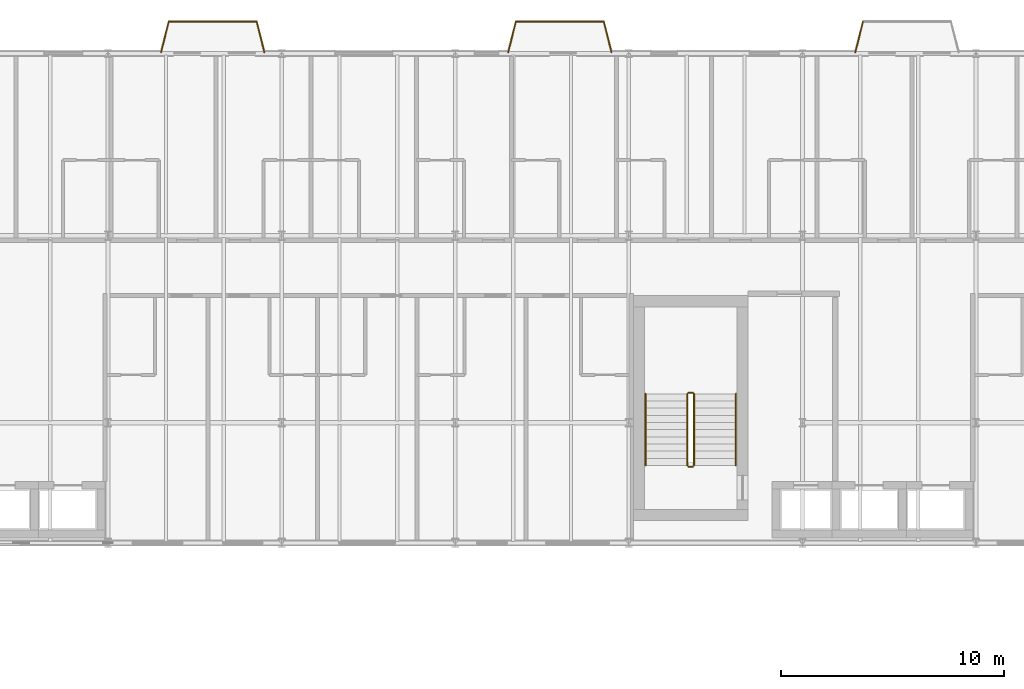
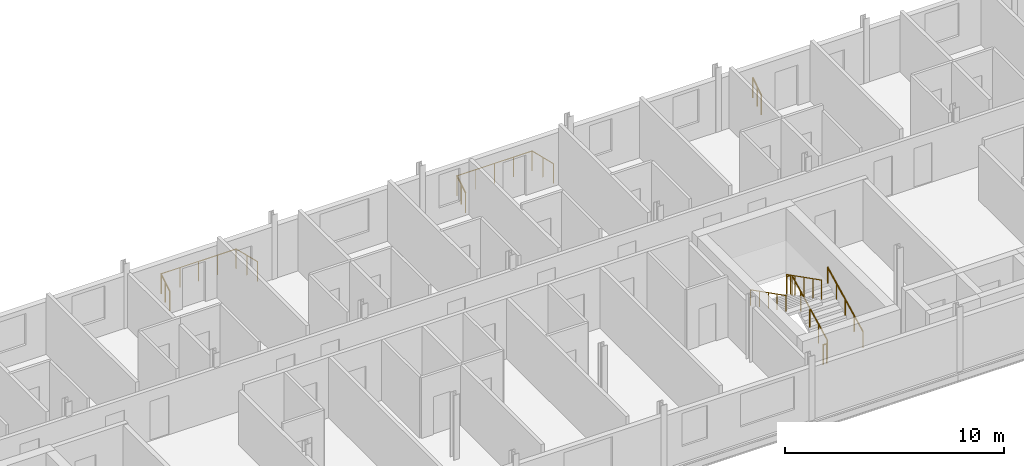
# One storey, part 24 of 25: 13 railings.
"""IFC4 building model written with IfcOpenShell, lengths in metres."""

from ifc_helpers import new_model, si_unit, direction, frame, origin, origin_2d, place, context, subcontext, project, spatial, circle, extrude, material, type_object, element, save


model = new_model("IFC4")

# Units and contexts
model_context = context("Model", 3, precision=1e-05, world=origin(), true_north=direction((0.0, 1.0)))
body_context = subcontext(model_context, "Body", "Model", "MODEL_VIEW")
ifc_project = project(units=[si_unit("LENGTHUNIT", "METRE"), si_unit("AREAUNIT", "SQUARE_METRE"), si_unit("VOLUMEUNIT", "CUBIC_METRE"), si_unit("PLANEANGLEUNIT", "RADIAN"), si_unit("MASSUNIT", "GRAM", prefix="KILO")], contexts=[model_context])

# Site, building, storey
site_placement = place(None, origin())
site = spatial("IfcSite", under=ifc_project, at=site_placement, CompositionType="ELEMENT")
building_placement = place(site_placement, origin())
building = spatial("IfcBuilding", under=site, at=building_placement, Name="Sefraquen Railside Congress Hotel", CompositionType="ELEMENT")
storey_placement = place(building_placement, frame((0.0, 0.0, 39.0)))
storey = spatial("IfcBuildingStorey", under=building, at=storey_placement, Name="L09", CompositionType="ELEMENT", Elevation=39.0)

# Railings
ifc_material = material(Name="Patinated wrought architectural bronze", Category="metal")
railing_type_1 = type_object("IfcRailingType", Name="TRL-BAL-110", PredefinedType="BALUSTRADE", material=ifc_material)
railing_1_placement = place(storey_placement, frame((43.179931640625, 118.050048828125, 0.0)))
element("IfcRailing", 1, at=railing_1_placement, inside=storey, type_object=railing_type_1, Name="Guest balcony Art Nouveau balustrade L09-02", PredefinedType="BALUSTRADE", context=body_context, shape_type="SweptSolid", body=[
    extrude(circle(Radius=0.02392578125, at=origin_2d()), frame((0.0, 0.0, 1.09619140625), z_axis=(0.240948040829, 0.970538016577, 0.0), x_axis=(-0.970538016577, 0.240948040829, 0.0)), (0.0, 0.0, 1.0), 1.411376953125),
    extrude(circle(Radius=0.02099609375, at=origin_2d()), origin(), (0.0, 0.0, 1.0), 1.072021484375),
    extrude(circle(Radius=0.02099609375, at=origin_2d()), frame((0.169921875, 0.68505859375, 0.0)), (0.0, 0.0, 1.0), 1.072021484375),
    extrude(circle(Radius=0.02099609375, at=origin_2d()), frame((0.340087890625, 1.369873046875, 0.0)), (0.0, 0.0, 1.0), 1.072021484375),
])
railing_2_placement = place(storey_placement, frame((43.52001953125, 119.419921875, 0.0)))
element("IfcRailing", 2, at=railing_2_placement, inside=storey, type_object=railing_type_1, Name="Guest balcony Art Nouveau balustrade L09-02", PredefinedType="BALUSTRADE", context=body_context, shape_type="SweptSolid", body=[
    extrude(circle(Radius=0.02392578125, at=origin_2d()), frame((0.0, 0.0, 1.09619140625), z_axis=(1.0, 0.0, 0.0), x_axis=(0.0, 1.0, 0.0)), (0.0, 0.0, 1.0), 3.9599609375),
    extrude(circle(Radius=0.02099609375, at=origin_2d()), origin(), (0.0, 0.0, 1.0), 1.072021484375),
    extrude(circle(Radius=0.02099609375, at=origin_2d()), frame((0.989990234375, 0.0, 0.0)), (0.0, 0.0, 1.0), 1.072021484375),
    extrude(circle(Radius=0.02099609375, at=origin_2d()), frame((1.97998046875, 0.0, 0.0)), (0.0, 0.0, 1.0), 1.072021484375),
    extrude(circle(Radius=0.02099609375, at=origin_2d()), frame((2.969970703125, 0.0, 0.0)), (0.0, 0.0, 1.0), 1.072021484375),
    extrude(circle(Radius=0.02099609375, at=origin_2d()), frame((3.9599609375, 0.0, 0.0)), (0.0, 0.0, 1.0), 1.072021484375),
])
railing_3_placement = place(storey_placement, frame((47.47998046875, 119.419921875, 0.0)))
element("IfcRailing", 3, at=railing_3_placement, inside=storey, type_object=railing_type_1, Name="Guest balcony Art Nouveau balustrade L09-02", PredefinedType="BALUSTRADE", context=body_context, shape_type="SweptSolid", body=[
    extrude(circle(Radius=0.02392578125, at=origin_2d()), frame((0.0, 0.0, 1.09619140625), z_axis=(0.240948040829, -0.970538016577, 0.0), x_axis=(0.970538016577, 0.240948040829, 0.0)), (0.0, 0.0, 1.0), 1.411376953125),
    extrude(circle(Radius=0.02099609375, at=origin_2d()), origin(), (0.0, 0.0, 1.0), 1.072021484375),
    extrude(circle(Radius=0.02099609375, at=origin_2d()), frame((0.169921875, -0.68505859375, 0.0)), (0.0, 0.0, 1.0), 1.072021484375),
    extrude(circle(Radius=0.02099609375, at=origin_2d()), frame((0.340087890625, -1.369873046875, 0.0)), (0.0, 0.0, 1.0), 1.072021484375),
])
railing_4_placement = place(storey_placement, frame((58.780029296875, 118.050048828125, 0.0)))
element("IfcRailing", 4, at=railing_4_placement, inside=storey, type_object=railing_type_1, Name="Guest balcony Art Nouveau balustrade L09-03", PredefinedType="BALUSTRADE", context=body_context, shape_type="SweptSolid", body=[
    extrude(circle(Radius=0.02392578125, at=origin_2d()), frame((0.0, 0.0, 1.09619140625), z_axis=(0.240948040829, 0.970538016577, 0.0), x_axis=(-0.970538016577, 0.240948040829, 0.0)), (0.0, 0.0, 1.0), 1.411376953125),
    extrude(circle(Radius=0.02099609375, at=origin_2d()), origin(), (0.0, 0.0, 1.0), 1.072021484375),
    extrude(circle(Radius=0.02099609375, at=origin_2d()), frame((0.169921875, 0.68505859375, 0.0)), (0.0, 0.0, 1.0), 1.072021484375),
    extrude(circle(Radius=0.02099609375, at=origin_2d()), frame((0.340087890625, 1.369873046875, 0.0)), (0.0, 0.0, 1.0), 1.072021484375),
])
railing_5_placement = place(storey_placement, frame((59.1201171875, 119.419921875, 0.0)))
element("IfcRailing", 5, at=railing_5_placement, inside=storey, type_object=railing_type_1, Name="Guest balcony Art Nouveau balustrade L09-03", PredefinedType="BALUSTRADE", context=body_context, shape_type="SweptSolid", body=[
    extrude(circle(Radius=0.02392578125, at=origin_2d()), frame((0.0, 0.0, 1.09619140625), z_axis=(1.0, 0.0, 0.0), x_axis=(0.0, 1.0, 0.0)), (0.0, 0.0, 1.0), 3.9599609375),
    extrude(circle(Radius=0.02099609375, at=origin_2d()), origin(), (0.0, 0.0, 1.0), 1.072021484375),
    extrude(circle(Radius=0.02099609375, at=origin_2d()), frame((0.989990234375, 0.0, 0.0)), (0.0, 0.0, 1.0), 1.072021484375),
    extrude(circle(Radius=0.02099609375, at=origin_2d()), frame((1.97998046875, 0.0, 0.0)), (0.0, 0.0, 1.0), 1.072021484375),
    extrude(circle(Radius=0.02099609375, at=origin_2d()), frame((2.969970703125, 0.0, 0.0)), (0.0, 0.0, 1.0), 1.072021484375),
    extrude(circle(Radius=0.02099609375, at=origin_2d()), frame((3.9599609375, 0.0, 0.0)), (0.0, 0.0, 1.0), 1.072021484375),
])
railing_6_placement = place(storey_placement, frame((63.080078125, 119.419921875, 0.0)))
element("IfcRailing", 6, at=railing_6_placement, inside=storey, type_object=railing_type_1, Name="Guest balcony Art Nouveau balustrade L09-03", PredefinedType="BALUSTRADE", context=body_context, shape_type="SweptSolid", body=[
    extrude(circle(Radius=0.02392578125, at=origin_2d()), frame((0.0, 0.0, 1.09619140625), z_axis=(0.240785102022, -0.970578453627, 0.0), x_axis=(0.970578453627, 0.240785102022, 0.0)), (0.0, 0.0, 1.0), 1.411376953125),
    extrude(circle(Radius=0.02099609375, at=origin_2d()), origin(), (0.0, 0.0, 1.0), 1.072021484375),
    extrude(circle(Radius=0.02099609375, at=origin_2d()), frame((0.169921875, -0.68505859375, 0.0)), (0.0, 0.0, 1.0), 1.072021484375),
    extrude(circle(Radius=0.02099609375, at=origin_2d()), frame((0.33984375, -1.369873046875, 0.0)), (0.0, 0.0, 1.0), 1.072021484375),
])
railing_7_placement = place(storey_placement, frame((74.3798828125, 118.050048828125, 0.0)))
element("IfcRailing", 7, at=railing_7_placement, inside=storey, type_object=railing_type_1, Name="Guest balcony Art Nouveau balustrade L09-04", PredefinedType="BALUSTRADE", context=body_context, shape_type="SweptSolid", body=[
    extrude(circle(Radius=0.02392578125, at=origin_2d()), frame((0.0, 0.0, 1.09619140625), z_axis=(0.240948040829, 0.970538016577, 0.0), x_axis=(-0.970538016577, 0.240948040829, 0.0)), (0.0, 0.0, 1.0), 1.411376953125),
    extrude(circle(Radius=0.02099609375, at=origin_2d()), origin(), (0.0, 0.0, 1.0), 1.072021484375),
    extrude(circle(Radius=0.02099609375, at=origin_2d()), frame((0.169921875, 0.68505859375, 0.0)), (0.0, 0.0, 1.0), 1.072021484375),
    extrude(circle(Radius=0.02099609375, at=origin_2d()), frame((0.340087890625, 1.369873046875, 0.0)), (0.0, 0.0, 1.0), 1.072021484375),
])
railing_8_placement = place(storey_placement, frame((67.1298828125, 99.47998046875, 0.16357421875)))
element("IfcRailing", 8, at=railing_8_placement, inside=storey, type_object=railing_type_1, Name="L09 ST-H03 stair guard 1", PredefinedType="BALUSTRADE", context=body_context, shape_type="SweptSolid", body=[
    extrude(circle(Radius=0.02392578125, at=origin_2d()), frame((0.0, 0.0, 1.076171875), z_axis=(0.0, 0.891474443924, 0.453070983215), x_axis=(-1.0, 0.0, 0.0)), (0.0, 0.0, 1.0), 3.612060546875),
    extrude(circle(Radius=0.02099609375, at=origin_2d()), origin(), (0.0, 0.0, 1.0), 1.052001953125),
    extrude(circle(Radius=0.02099609375, at=origin_2d()), frame((0.0, 0.804931640625, 0.4091796875)), (0.0, 0.0, 1.0), 1.052001953125),
    extrude(circle(Radius=0.02099609375, at=origin_2d()), frame((0.0, 1.60986328125, 0.818359375)), (0.0, 0.0, 1.0), 1.052001953125),
    extrude(circle(Radius=0.02099609375, at=origin_2d()), frame((0.0, 2.4150390625, 1.227294921875)), (0.0, 0.0, 1.0), 1.052001953125),
    extrude(circle(Radius=0.02099609375, at=origin_2d()), frame((0.0, 3.219970703125, 1.636474609375)), (0.0, 0.0, 1.0), 1.052001953125),
])
railing_9_placement = place(storey_placement, frame((67.080078125, 102.75, 1.800048828125)))
element("IfcRailing", 9, at=railing_9_placement, inside=storey, type_object=railing_type_1, Name="L09 ST-H03 stair guard 2", PredefinedType="BALUSTRADE", context=body_context, shape_type="SweptSolid", body=[
    extrude(circle(Radius=0.02392578125, at=origin_2d()), frame((0.0, 0.0, 1.076171875), z_axis=(-1.0, 0.0, 0.0), x_axis=(0.0, -1.0, 0.0)), (0.0, 0.0, 1.0), 0.2001953125),
    extrude(circle(Radius=0.02099609375, at=origin_2d()), origin(), (0.0, 0.0, 1.0), 1.052001953125),
    extrude(circle(Radius=0.02099609375, at=origin_2d()), frame((-0.2001953125, 0.0, 0.0)), (0.0, 0.0, 1.0), 1.052001953125),
])
railing_10_placement = place(storey_placement, frame((66.830078125, 102.699951171875, 1.963623046875)))
element("IfcRailing", 10, at=railing_10_placement, inside=storey, type_object=railing_type_1, Name="L09 ST-H03 stair guard 3", PredefinedType="BALUSTRADE", context=body_context, shape_type="SweptSolid", body=[
    extrude(circle(Radius=0.02392578125, at=origin_2d()), frame((0.0, 0.0, 1.076171875), z_axis=(0.0, -0.891474443924, 0.453070983215), x_axis=(1.0, 0.0, 0.0)), (0.0, 0.0, 1.0), 3.612060546875),
    extrude(circle(Radius=0.02099609375, at=origin_2d()), origin(), (0.0, 0.0, 1.0), 1.052001953125),
    extrude(circle(Radius=0.02099609375, at=origin_2d()), frame((0.0, -0.804931640625, 0.4091796875)), (0.0, 0.0, 1.0), 1.052001953125),
    extrude(circle(Radius=0.02099609375, at=origin_2d()), frame((0.0, -1.60986328125, 0.818359375)), (0.0, 0.0, 1.0), 1.052001953125),
    extrude(circle(Radius=0.02099609375, at=origin_2d()), frame((0.0, -2.4150390625, 1.227294921875)), (0.0, 0.0, 1.0), 1.052001953125),
    extrude(circle(Radius=0.02099609375, at=origin_2d()), frame((0.0, -3.219970703125, 1.636474609375)), (0.0, 0.0, 1.0), 1.052001953125),
])
railing_11_placement = place(storey_placement, frame((67.080078125, 99.429931640625, 0.0)))
element("IfcRailing", 11, at=railing_11_placement, inside=storey, type_object=railing_type_1, Name="L09 ST-H03 stair guard 4", PredefinedType="BALUSTRADE", context=body_context, shape_type="SweptSolid", body=[
    extrude(circle(Radius=0.02392578125, at=origin_2d()), frame((0.0, 0.0, 1.076171875), z_axis=(-1.0, 0.0, 0.0), x_axis=(0.0, -1.0, 0.0)), (0.0, 0.0, 1.0), 0.2001953125),
    extrude(circle(Radius=0.02099609375, at=origin_2d()), origin(), (0.0, 0.0, 1.0), 1.052001953125),
    extrude(circle(Radius=0.02099609375, at=origin_2d()), frame((-0.2001953125, 0.0, 0.0)), (0.0, 0.0, 1.0), 1.052001953125),
])
railing_type_2 = type_object("IfcRailingType", Name="TRL-HR-090", PredefinedType="HANDRAIL", material=ifc_material)
railing_12_placement = place(storey_placement, frame((69.010009765625, 99.47998046875, 0.16357421875)))
element("IfcRailing", 12, at=railing_12_placement, inside=storey, type_object=railing_type_2, Name="L09 ST-H03 stair handrail 1", PredefinedType="HANDRAIL", context=body_context, shape_type="SweptSolid", body=[
    extrude(circle(Radius=0.02392578125, at=origin_2d()), frame((0.0, 0.0, 0.8759765625), z_axis=(0.0, 0.891474443924, 0.453070983215), x_axis=(-1.0, 0.0, 0.0)), (0.0, 0.0, 1.0), 3.612060546875),
    extrude(circle(Radius=0.02099609375, at=origin_2d()), origin(), (0.0, 0.0, 1.0), 0.851806640625),
    extrude(circle(Radius=0.02099609375, at=origin_2d()), frame((0.0, 0.804931640625, 0.4091796875)), (0.0, 0.0, 1.0), 0.851806640625),
    extrude(circle(Radius=0.02099609375, at=origin_2d()), frame((0.0, 1.60986328125, 0.818359375)), (0.0, 0.0, 1.0), 0.851806640625),
    extrude(circle(Radius=0.02099609375, at=origin_2d()), frame((0.0, 2.4150390625, 1.227294921875)), (0.0, 0.0, 1.0), 0.851806640625),
    extrude(circle(Radius=0.02099609375, at=origin_2d()), frame((0.0, 3.219970703125, 1.636474609375)), (0.0, 0.0, 1.0), 0.851806640625),
])
railing_13_placement = place(storey_placement, frame((64.949951171875, 102.699951171875, 1.963623046875)))
element("IfcRailing", 13, at=railing_13_placement, inside=storey, type_object=railing_type_2, Name="L09 ST-H03 stair handrail 2", PredefinedType="HANDRAIL", context=body_context, shape_type="SweptSolid", body=[
    extrude(circle(Radius=0.02392578125, at=origin_2d()), frame((0.0, 0.0, 0.8759765625), z_axis=(0.0, -0.891474443924, 0.453070983215), x_axis=(1.0, 0.0, 0.0)), (0.0, 0.0, 1.0), 3.612060546875),
    extrude(circle(Radius=0.02099609375, at=origin_2d()), origin(), (0.0, 0.0, 1.0), 0.851806640625),
    extrude(circle(Radius=0.02099609375, at=origin_2d()), frame((0.0, -0.804931640625, 0.4091796875)), (0.0, 0.0, 1.0), 0.851806640625),
    extrude(circle(Radius=0.02099609375, at=origin_2d()), frame((0.0, -1.60986328125, 0.818359375)), (0.0, 0.0, 1.0), 0.851806640625),
    extrude(circle(Radius=0.02099609375, at=origin_2d()), frame((0.0, -2.4150390625, 1.227294921875)), (0.0, 0.0, 1.0), 0.851806640625),
    extrude(circle(Radius=0.02099609375, at=origin_2d()), frame((0.0, -3.219970703125, 1.636474609375)), (0.0, 0.0, 1.0), 0.851806640625),
])

save(model, "model.ifc")
